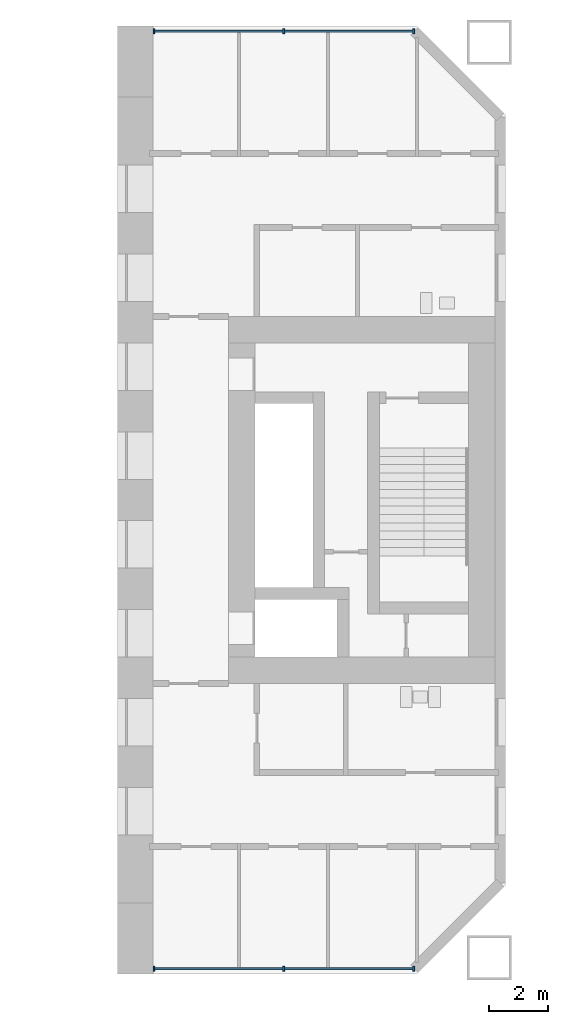
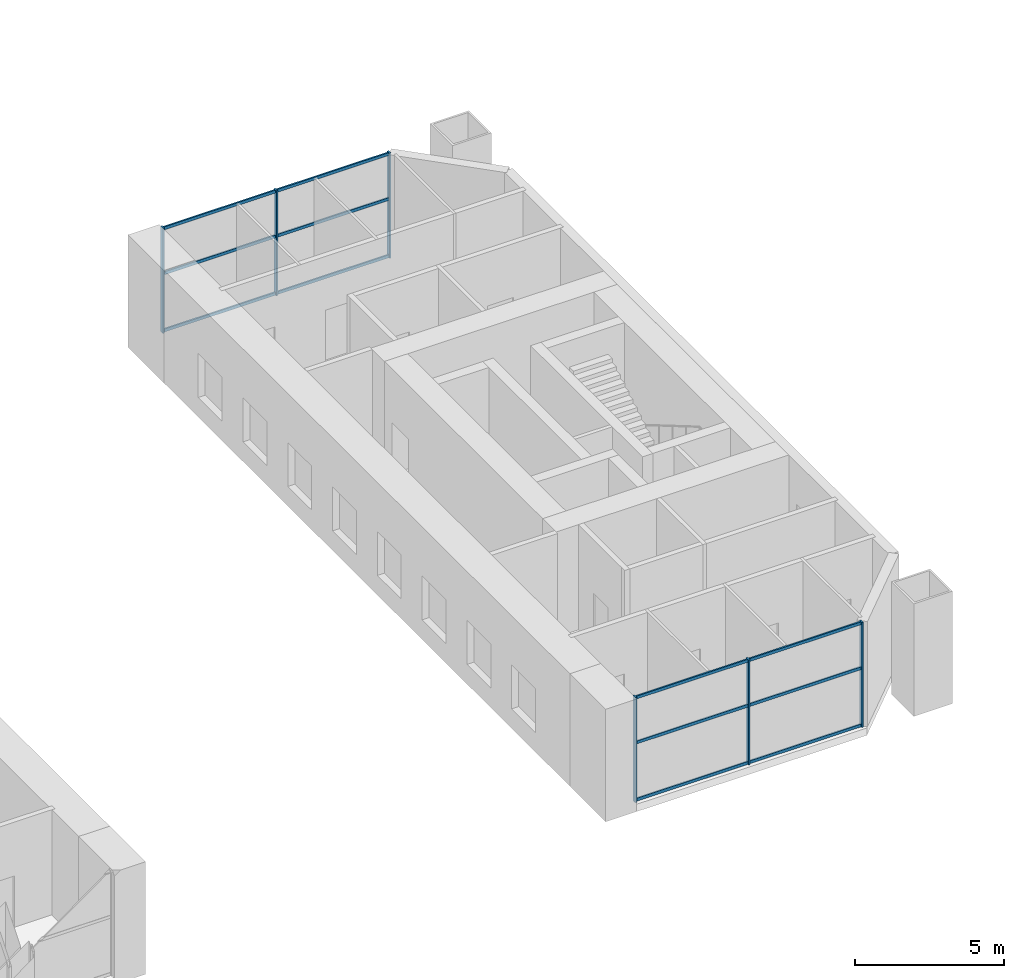
# One storey, part 4 of 21: 18 members, 2 elements without a shape of their own.
"""IFC4 building model written with IfcOpenShell, lengths in metres."""

from ifc_helpers import new_model, si_unit, direction, frame, origin, origin_2d, place, context, subcontext, project, spatial, rectangle, extrude, material, material_profile, profile_set, type_object, element, aggregate, save


model = new_model("IFC4")

# Units and contexts
model_context = context("Model", 3, precision=1e-05, world=origin(), true_north=direction((0.0, 1.0)))
body_context = subcontext(model_context, "Body", "Model", "MODEL_VIEW")
ifc_project = project(units=[si_unit("LENGTHUNIT", "METRE"), si_unit("AREAUNIT", "SQUARE_METRE"), si_unit("VOLUMEUNIT", "CUBIC_METRE"), si_unit("PLANEANGLEUNIT", "RADIAN"), si_unit("MASSUNIT", "GRAM", prefix="KILO")], contexts=[model_context])

# Site, building, storey
site_placement = place(None, origin())
site = spatial("IfcSite", under=ifc_project, at=site_placement, CompositionType="ELEMENT")
building_placement = place(site_placement, origin())
building = spatial("IfcBuilding", under=site, at=building_placement, Name="Tuart Gate Housing", CompositionType="ELEMENT")
storey_placement = place(building_placement, frame((0.0, 0.0, 5.5)))
storey = spatial("IfcBuildingStorey", under=building, at=storey_placement, Name="L01", CompositionType="ELEMENT", Elevation=5.5)

# Curtain wall, members
ifc_material_1 = material(Name="Aluminium and clear glass", Category="aluminium")
curtain_wall_type = type_object("IfcCurtainWallType", Name="Podium health glazing", PredefinedType="USERDEFINED", material=ifc_material_1)
curtain_wall_1_placement = place(storey_placement, origin())
curtain_wall_1 = element("IfcCurtainWall", 1, at=curtain_wall_1_placement, inside=storey, type_object=curtain_wall_type, Name="Podium health glazing A-S L01", ObjectType="PODIUM HEALTH GLAZING", PredefinedType="USERDEFINED")
ifc_material_2 = material(Name="Anodised aluminium", Category="aluminium")
ifc_material_profile_1 = material_profile(ifc_material_2, rectangle(XDim=0.06005859375, YDim=0.159912109375, at=origin_2d()), Name="60x160")
ifc_profile_set_1 = profile_set([ifc_material_profile_1], Name="Anodised aluminium")
member_type_1 = type_object("IfcMemberType", Name="Mullion 60 x 160", PredefinedType="MULLION", material=ifc_profile_set_1)
member_1_placement = place(storey_placement, frame((64.1298828125, 54.179931640625, 0.0), z_axis=(0.0, 0.0, 1.0), x_axis=(1.0, 0.0, 0.0)))
member_1 = element("IfcMember", 2, at=member_1_placement, type_object=member_type_1, Name="CW1 mullion 1", PredefinedType="MULLION", context=body_context, shape_type="SweptSolid", body=[
    extrude(rectangle(XDim=0.06005859375, YDim=0.159912109375, at=origin_2d()), origin(), (0.0, 0.0, 1.0), 4.300048828125),
])
member_2_placement = place(storey_placement, frame((68.5126953125, 54.179931640625, 0.0), z_axis=(0.0, 0.0, 1.0), x_axis=(1.0, 0.0, 0.0)))
member_2 = element("IfcMember", 3, at=member_2_placement, type_object=member_type_1, Name="CW1 mullion 2", PredefinedType="MULLION", context=body_context, shape_type="SweptSolid", body=[
    extrude(rectangle(XDim=0.06005859375, YDim=0.159912109375, at=origin_2d()), origin(), (0.0, 0.0, 1.0), 4.300048828125),
])
member_3_placement = place(storey_placement, frame((72.8955078125, 54.179931640625, 0.0), z_axis=(0.0, 0.0, 1.0), x_axis=(1.0, 0.0, 0.0)))
member_3 = element("IfcMember", 4, at=member_3_placement, type_object=member_type_1, Name="CW1 mullion 3", PredefinedType="MULLION", context=body_context, shape_type="SweptSolid", body=[
    extrude(rectangle(XDim=0.06005859375, YDim=0.159912109375, at=origin_2d()), origin(), (0.0, 0.0, 1.0), 4.300048828125),
])

curtain_wall_2_placement = place(storey_placement, origin())
curtain_wall_2 = element("IfcCurtainWall", 5, at=curtain_wall_2_placement, inside=storey, type_object=curtain_wall_type, Name="Podium health glazing A-N L01", ObjectType="PODIUM HEALTH GLAZING", PredefinedType="USERDEFINED")
member_4_placement = place(storey_placement, frame((72.8955078125, 85.820068359375, 0.0), z_axis=(0.0, 0.0, 1.0), x_axis=(-1.0, 0.0, 0.0)))
member_4 = element("IfcMember", 6, at=member_4_placement, type_object=member_type_1, Name="CW1 mullion 1", PredefinedType="MULLION", context=body_context, shape_type="SweptSolid", body=[
    extrude(rectangle(XDim=0.06005859375, YDim=0.159912109375, at=origin_2d()), origin(), (0.0, 0.0, 1.0), 4.300048828125),
])
member_5_placement = place(storey_placement, frame((68.5126953125, 85.820068359375, 0.0), z_axis=(0.0, 0.0, 1.0), x_axis=(-1.0, 0.0, 0.0)))
member_5 = element("IfcMember", 7, at=member_5_placement, type_object=member_type_1, Name="CW1 mullion 2", PredefinedType="MULLION", context=body_context, shape_type="SweptSolid", body=[
    extrude(rectangle(XDim=0.06005859375, YDim=0.159912109375, at=origin_2d()), origin(), (0.0, 0.0, 1.0), 4.300048828125),
])
member_6_placement = place(storey_placement, frame((64.1298828125, 85.820068359375, 0.0), z_axis=(0.0, 0.0, 1.0), x_axis=(-1.0, 0.0, 0.0)))
member_6 = element("IfcMember", 8, at=member_6_placement, type_object=member_type_1, Name="CW1 mullion 3", PredefinedType="MULLION", context=body_context, shape_type="SweptSolid", body=[
    extrude(rectangle(XDim=0.06005859375, YDim=0.159912109375, at=origin_2d()), origin(), (0.0, 0.0, 1.0), 4.300048828125),
])

# Member
ifc_material_3 = material(Name="Anodised aluminium", Category="aluminium")
ifc_material_profile_2 = material_profile(ifc_material_3, rectangle(XDim=0.06005859375, YDim=0.1201171875, at=origin_2d()), Name="60x120")
ifc_profile_set_2 = profile_set([ifc_material_profile_2], Name="Anodised aluminium")
member_type_2 = type_object("IfcMemberType", Name="Transom 60 x 120", PredefinedType="USERDEFINED", material=ifc_profile_set_2)
member_7_placement = place(storey_placement, frame((64.159912109375, 54.179931640625, 0.06005859375), z_axis=(1.0, 0.0, 0.0), x_axis=(0.0, 1.0, 0.0)))
member_7 = element("IfcMember", 9, at=member_7_placement, type_object=member_type_2, Name="CW1 transom 1.1", ObjectType="TRANSOM", PredefinedType="USERDEFINED", context=body_context, shape_type="SweptSolid", body=[
    extrude(rectangle(XDim=0.06005859375, YDim=0.1201171875, at=origin_2d()), origin(), (0.0, 0.0, 1.0), 4.32275390625),
])

member_8_placement = place(storey_placement, frame((64.159912109375, 54.179931640625, 2.39990234375), z_axis=(1.0, 0.0, 0.0), x_axis=(0.0, 1.0, 0.0)))
member_8 = element("IfcMember", 10, at=member_8_placement, type_object=member_type_2, Name="CW1 transom 1.2", ObjectType="TRANSOM", PredefinedType="USERDEFINED", context=body_context, shape_type="SweptSolid", body=[
    extrude(rectangle(XDim=0.06005859375, YDim=0.1201171875, at=origin_2d()), origin(), (0.0, 0.0, 1.0), 4.32275390625),
])

member_9_placement = place(storey_placement, frame((64.159912109375, 54.179931640625, 4.239990234375), z_axis=(1.0, 0.0, 0.0), x_axis=(0.0, 1.0, 0.0)))
member_9 = element("IfcMember", 11, at=member_9_placement, type_object=member_type_2, Name="CW1 transom 1.3", ObjectType="TRANSOM", PredefinedType="USERDEFINED", context=body_context, shape_type="SweptSolid", body=[
    extrude(rectangle(XDim=0.06005859375, YDim=0.1201171875, at=origin_2d()), origin(), (0.0, 0.0, 1.0), 4.32275390625),
])

member_10_placement = place(storey_placement, frame((68.542724609375, 54.179931640625, 0.06005859375), z_axis=(1.0, 0.0, 0.0), x_axis=(0.0, 1.0, 0.0)))
member_10 = element("IfcMember", 12, at=member_10_placement, type_object=member_type_2, Name="CW1 transom 2.1", ObjectType="TRANSOM", PredefinedType="USERDEFINED", context=body_context, shape_type="SweptSolid", body=[
    extrude(rectangle(XDim=0.06005859375, YDim=0.1201171875, at=origin_2d()), origin(), (0.0, 0.0, 1.0), 4.32275390625),
])

member_11_placement = place(storey_placement, frame((68.542724609375, 54.179931640625, 2.39990234375), z_axis=(1.0, 0.0, 0.0), x_axis=(0.0, 1.0, 0.0)))
member_11 = element("IfcMember", 13, at=member_11_placement, type_object=member_type_2, Name="CW1 transom 2.2", ObjectType="TRANSOM", PredefinedType="USERDEFINED", context=body_context, shape_type="SweptSolid", body=[
    extrude(rectangle(XDim=0.06005859375, YDim=0.1201171875, at=origin_2d()), origin(), (0.0, 0.0, 1.0), 4.32275390625),
])

member_12_placement = place(storey_placement, frame((68.542724609375, 54.179931640625, 4.239990234375), z_axis=(1.0, 0.0, 0.0), x_axis=(0.0, 1.0, 0.0)))
member_12 = element("IfcMember", 14, at=member_12_placement, type_object=member_type_2, Name="CW1 transom 2.3", ObjectType="TRANSOM", PredefinedType="USERDEFINED", context=body_context, shape_type="SweptSolid", body=[
    extrude(rectangle(XDim=0.06005859375, YDim=0.1201171875, at=origin_2d()), origin(), (0.0, 0.0, 1.0), 4.32275390625),
])

aggregate(curtain_wall_1, [member_1, member_2, member_3, member_7, member_8, member_9, member_10, member_11, member_12])

member_13_placement = place(storey_placement, frame((72.865478515625, 85.820068359375, 0.06005859375), z_axis=(-1.0, 0.0, 0.0), x_axis=(0.0, -1.0, 0.0)))
member_13 = element("IfcMember", 15, at=member_13_placement, type_object=member_type_2, Name="CW1 transom 1.1", ObjectType="TRANSOM", PredefinedType="USERDEFINED", context=body_context, shape_type="SweptSolid", body=[
    extrude(rectangle(XDim=0.06005859375, YDim=0.1201171875, at=origin_2d()), origin(), (0.0, 0.0, 1.0), 4.32275390625),
])

member_14_placement = place(storey_placement, frame((72.865478515625, 85.820068359375, 2.39990234375), z_axis=(-1.0, 0.0, 0.0), x_axis=(0.0, -1.0, 0.0)))
member_14 = element("IfcMember", 16, at=member_14_placement, type_object=member_type_2, Name="CW1 transom 1.2", ObjectType="TRANSOM", PredefinedType="USERDEFINED", context=body_context, shape_type="SweptSolid", body=[
    extrude(rectangle(XDim=0.06005859375, YDim=0.1201171875, at=origin_2d()), origin(), (0.0, 0.0, 1.0), 4.32275390625),
])

member_15_placement = place(storey_placement, frame((72.865478515625, 85.820068359375, 4.239990234375), z_axis=(-1.0, 0.0, 0.0), x_axis=(0.0, -1.0, 0.0)))
member_15 = element("IfcMember", 17, at=member_15_placement, type_object=member_type_2, Name="CW1 transom 1.3", ObjectType="TRANSOM", PredefinedType="USERDEFINED", context=body_context, shape_type="SweptSolid", body=[
    extrude(rectangle(XDim=0.06005859375, YDim=0.1201171875, at=origin_2d()), origin(), (0.0, 0.0, 1.0), 4.32275390625),
])

member_16_placement = place(storey_placement, frame((68.482666015625, 85.820068359375, 0.06005859375), z_axis=(-1.0, 0.0, 0.0), x_axis=(0.0, -1.0, 0.0)))
member_16 = element("IfcMember", 18, at=member_16_placement, type_object=member_type_2, Name="CW1 transom 2.1", ObjectType="TRANSOM", PredefinedType="USERDEFINED", context=body_context, shape_type="SweptSolid", body=[
    extrude(rectangle(XDim=0.06005859375, YDim=0.1201171875, at=origin_2d()), origin(), (0.0, 0.0, 1.0), 4.32275390625),
])

member_17_placement = place(storey_placement, frame((68.482666015625, 85.820068359375, 2.39990234375), z_axis=(-1.0, 0.0, 0.0), x_axis=(0.0, -1.0, 0.0)))
member_17 = element("IfcMember", 19, at=member_17_placement, type_object=member_type_2, Name="CW1 transom 2.2", ObjectType="TRANSOM", PredefinedType="USERDEFINED", context=body_context, shape_type="SweptSolid", body=[
    extrude(rectangle(XDim=0.06005859375, YDim=0.1201171875, at=origin_2d()), origin(), (0.0, 0.0, 1.0), 4.32275390625),
])

member_18_placement = place(storey_placement, frame((68.482666015625, 85.820068359375, 4.239990234375), z_axis=(-1.0, 0.0, 0.0), x_axis=(0.0, -1.0, 0.0)))
member_18 = element("IfcMember", 20, at=member_18_placement, type_object=member_type_2, Name="CW1 transom 2.3", ObjectType="TRANSOM", PredefinedType="USERDEFINED", context=body_context, shape_type="SweptSolid", body=[
    extrude(rectangle(XDim=0.06005859375, YDim=0.1201171875, at=origin_2d()), origin(), (0.0, 0.0, 1.0), 4.32275390625),
])

aggregate(curtain_wall_2, [member_4, member_5, member_6, member_13, member_14, member_15, member_16, member_17, member_18])

save(model, "model.ifc")
